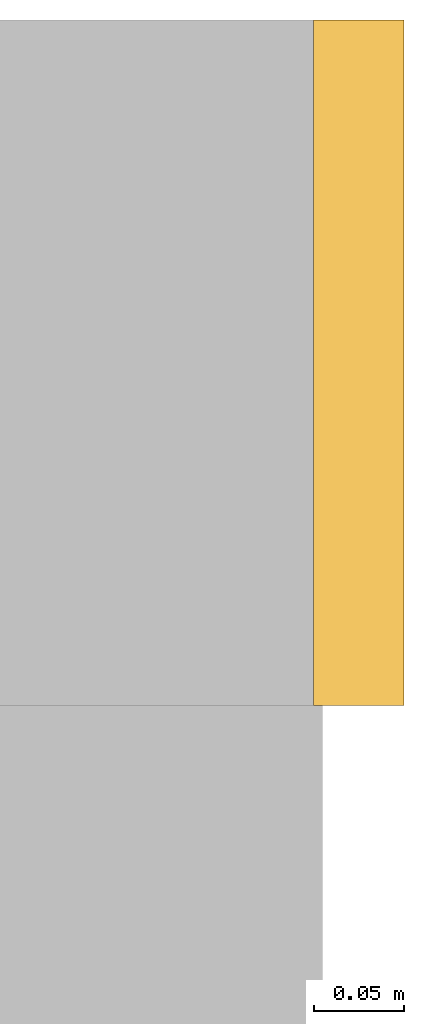
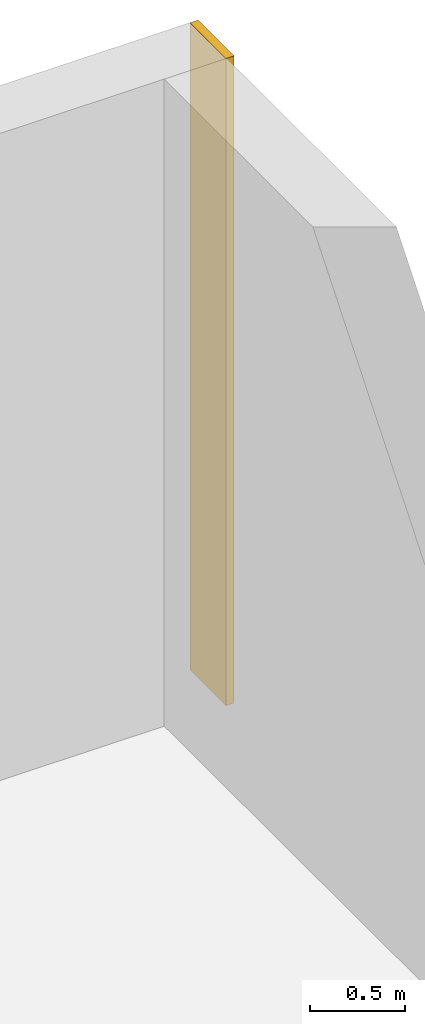
# One storey, part 21 of 21: 1 covering.
"""IFC4 building model written with IfcOpenShell, lengths in metres."""

from ifc_helpers import new_model, si_unit, direction, frame, frame_2d, origin, place, context, subcontext, project, spatial, rectangle, extrude, material, layer, layer_set, type_object, element, save


model = new_model("IFC4")

# Units and contexts
model_context = context("Model", 3, precision=1e-05, world=origin(), true_north=direction((0.0, 1.0)))
body_context = subcontext(model_context, "Body", "Model", "MODEL_VIEW")
ifc_project = project(units=[si_unit("LENGTHUNIT", "METRE"), si_unit("AREAUNIT", "SQUARE_METRE"), si_unit("VOLUMEUNIT", "CUBIC_METRE"), si_unit("PLANEANGLEUNIT", "RADIAN"), si_unit("MASSUNIT", "GRAM", prefix="KILO")], contexts=[model_context])

# Site, building, storey
site_placement = place(None, origin())
site = spatial("IfcSite", under=ifc_project, at=site_placement, CompositionType="ELEMENT")
building_placement = place(site_placement, origin())
building = spatial("IfcBuilding", under=site, at=building_placement, Name="Cairnveth Concourse Tower", CompositionType="ELEMENT")
storey_placement = place(building_placement, frame((0.0, 0.0, 14.5)))
storey = spatial("IfcBuildingStorey", under=building, at=storey_placement, Name="L03", CompositionType="ELEMENT", Elevation=14.5)

# Covering
ifc_material = material(Name="Dressed Melbourne Bluestone Cladding", Category="masonry")
ifc_layer = layer(ifc_material, 0.050048828125)
ifc_layer_set = layer_set([ifc_layer], Name="Dressed Melbourne Bluestone Cladding")
covering_type = type_object("IfcCoveringType", Name="DRESSED BLUESTONE PLINTH CLADDING 50", PredefinedType="CLADDING", material=ifc_layer_set)
covering_placement = place(storey_placement, frame((85.52001953125, 65.6201171875, 0.0), z_axis=(0.0, 0.0, 1.0), x_axis=(0.0, 1.0, 0.0)))
element("IfcCovering", 1, at=covering_placement, inside=storey, type_object=covering_type, Name="Melbourne Bluestone Corner Quoin L03-16", PredefinedType="CLADDING", context=body_context, shape_type="SweptSolid", body=[
    extrude(rectangle(XDim=0.3798828125, YDim=0.050048828125, at=frame_2d((0.18994140625, 0.0))), origin(), (0.0, 0.0, 1.0), 4.14990234375),
])

save(model, "model.ifc")
